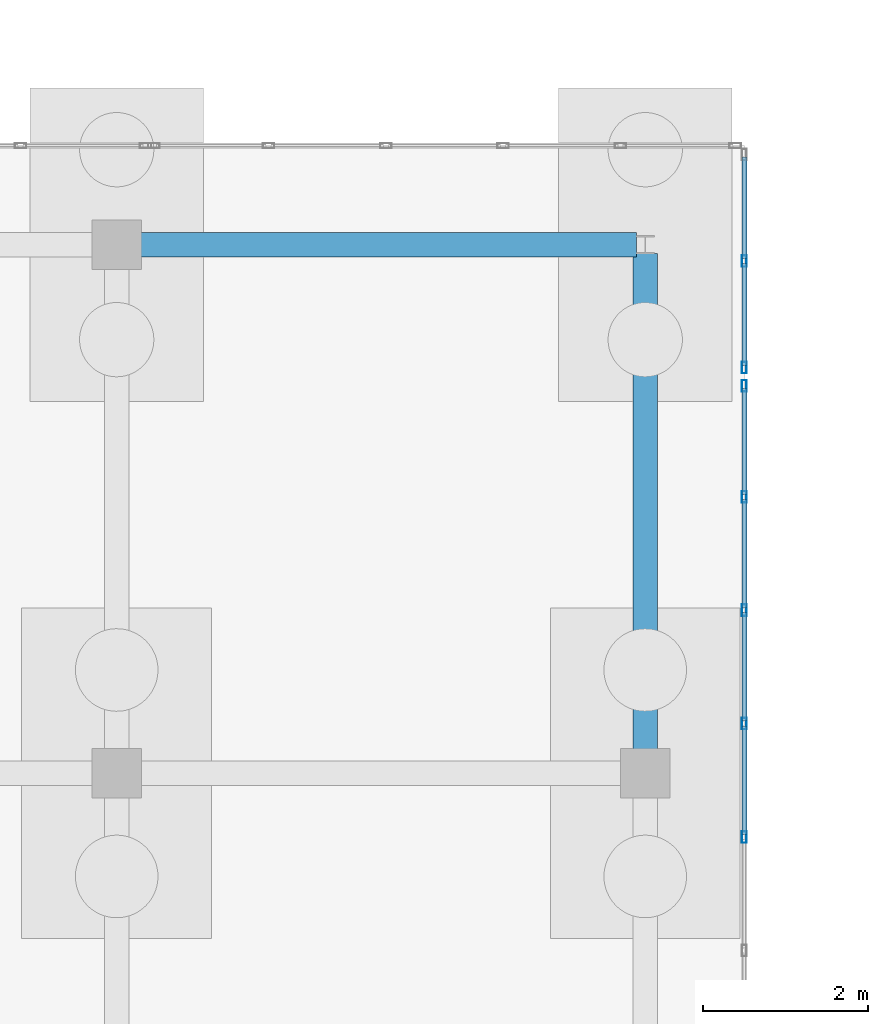
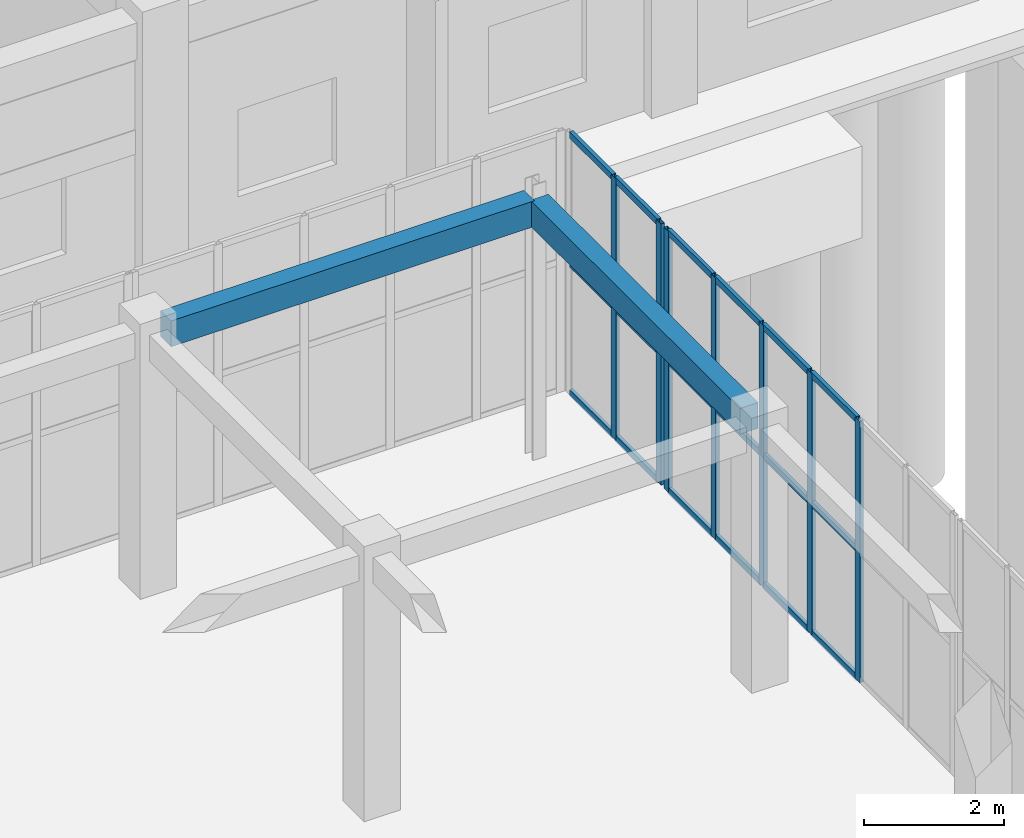
# One storey, part 118 of 192: 25 members, 2 beams, 2 elements without a shape of their own.
"""IFC4 building model written with IfcOpenShell, lengths in metres."""

from ifc_helpers import new_model, si_unit, direction, frame, origin, origin_2d, place, context, subcontext, project, spatial, rectangle, hollow_rectangle, extrude, material, layer, layer_set, material_profile, profile_set, type_object, element, aggregate, save


model = new_model("IFC4")

# Units and contexts
model_context = context("Model", 3, precision=1e-05, world=origin(), true_north=direction((0.0, 1.0)))
body_context = subcontext(model_context, "Body", "Model", "MODEL_VIEW")
ifc_project = project(units=[si_unit("LENGTHUNIT", "METRE"), si_unit("AREAUNIT", "SQUARE_METRE"), si_unit("VOLUMEUNIT", "CUBIC_METRE"), si_unit("PLANEANGLEUNIT", "RADIAN"), si_unit("MASSUNIT", "GRAM", prefix="KILO")], contexts=[model_context])

# Site, building, storey
site_placement = place(None, origin())
site = spatial("IfcSite", under=ifc_project, at=site_placement, CompositionType="ELEMENT")
building_placement = place(site_placement, origin())
building = spatial("IfcBuilding", under=site, at=building_placement, Name="Trelvath General Hospital", CompositionType="ELEMENT")
storey_placement = place(building_placement, origin())
storey = spatial("IfcBuildingStorey", under=building, at=storey_placement, Name="L00", CompositionType="ELEMENT", Elevation=0.0)

# Beams
ifc_material_1 = material(Name="Concrete C35/45", Category="concrete")
ifc_material_profile_1 = material_profile(ifc_material_1, rectangle(XDim=0.300048828125, YDim=0.449951171875, at=origin_2d()), Name="RCB300x450")
ifc_profile_set_1 = profile_set([ifc_material_profile_1], Name="Concrete C35/45")
beam_type = type_object("IfcBeamType", Name="Beam RC300x450", PredefinedType="BEAM", material=ifc_profile_set_1)
beam_1_placement = place(storey_placement, frame((113.89599609375, 85.60009765625, 4.3349609375), z_axis=(1.0, 0.0, 0.0), x_axis=(0.0, 1.0, 0.0)))
element("IfcBeam", 1, at=beam_1_placement, inside=storey, type_object=beam_type, Name="Cube Interior Ring Beam CUBE-E-T0 L00", PredefinedType="BEAM", context=body_context, shape_type="SweptSolid", body=[
    extrude(rectangle(XDim=0.300048828125, YDim=0.449951171875, at=origin_2d()), origin(), (0.0, 0.0, 1.0), 5.998046875),
])
beam_2_placement = place(storey_placement, frame((120.0, 79.49609375, 4.3349609375), z_axis=(0.0, 1.0, 0.0), x_axis=(-1.0, 0.0, 0.0)))
element("IfcBeam", 2, at=beam_2_placement, inside=storey, type_object=beam_type, Name="Cube Interior Ring Beam CUBE-E-T0 L00", PredefinedType="BEAM", context=body_context, shape_type="SweptSolid", body=[
    extrude(rectangle(XDim=0.300048828125, YDim=0.449951171875, at=origin_2d()), origin(), (0.0, 0.0, 1.0), 5.997802734375),
])

# Curtain wall, members
ifc_material_2 = material(Name="Anodised aluminium and low-E glass", Category="aluminium")
ifc_layer_1 = layer(ifc_material_2, 0.139892578125)
ifc_layer_set_1 = layer_set([ifc_layer_1], Name="Anodised aluminium and low-E glass")
curtain_wall_type_1 = type_object("IfcCurtainWallType", Name="CW CrystalCube 824 456 14", PredefinedType="USERDEFINED", material=ifc_layer_set_1)
curtain_wall_1_placement = place(storey_placement, origin())
curtain_wall_1 = element("IfcCurtainWall", 3, at=curtain_wall_1_placement, inside=storey, type_object=curtain_wall_type_1, Name="Crystal Cube Curtain Wall CUBE-E-T0 E6 L00", ObjectType="Unitised Glazed Curtain Wall", PredefinedType="USERDEFINED")
ifc_material_3 = material(Name="Anodised aluminium", Category="aluminium")
ifc_material_profile_2 = material_profile(ifc_material_3, hollow_rectangle(XDim=0.06005859375, YDim=0.139892578125, WallThickness=0.00390625, at=origin_2d()), Name="RHS60x140x4")
ifc_profile_set_2 = profile_set([ifc_material_profile_2], Name="Anodised aluminium")
member_type_1 = type_object("IfcMemberType", Name="CurtainMullion 60x140", PredefinedType="MULLION", material=ifc_profile_set_2)
member_1_placement = place(storey_placement, frame((121.199951171875, 83.889892578125, 0.0), z_axis=(0.0, 0.0, 1.0), x_axis=(1.0, 0.0, 0.0)))
member_1 = element("IfcMember", 4, at=member_1_placement, type_object=member_type_1, Name="CW-124 mullion 1", PredefinedType="MULLION", context=body_context, shape_type="SweptSolid", body=[
    extrude(hollow_rectangle(XDim=0.06005859375, YDim=0.139892578125, WallThickness=0.00390625, at=origin_2d()), origin(), (0.0, 0.0, 1.0), 4.56005859375),
])
member_2_placement = place(storey_placement, frame((121.199951171875, 82.546630859375, 0.0), z_axis=(0.0, 0.0, 1.0), x_axis=(1.0, 0.0, 0.0)))
member_2 = element("IfcMember", 5, at=member_2_placement, type_object=member_type_1, Name="CW-124 mullion 2", PredefinedType="MULLION", context=body_context, shape_type="SweptSolid", body=[
    extrude(hollow_rectangle(XDim=0.06005859375, YDim=0.139892578125, WallThickness=0.00390625, at=origin_2d()), origin(), (0.0, 0.0, 1.0), 4.56005859375),
])
member_3_placement = place(storey_placement, frame((121.199951171875, 81.17333984375, 0.0), z_axis=(0.0, 0.0, 1.0), x_axis=(1.0, 0.0, 0.0)))
member_3 = element("IfcMember", 6, at=member_3_placement, type_object=member_type_1, Name="CW-124 mullion 3", PredefinedType="MULLION", context=body_context, shape_type="SweptSolid", body=[
    extrude(hollow_rectangle(XDim=0.06005859375, YDim=0.139892578125, WallThickness=0.00390625, at=origin_2d()), origin(), (0.0, 0.0, 1.0), 4.56005859375),
])
member_4_placement = place(storey_placement, frame((121.199951171875, 79.800048828125, 0.0), z_axis=(0.0, 0.0, 1.0), x_axis=(1.0, 0.0, 0.0)))
member_4 = element("IfcMember", 7, at=member_4_placement, type_object=member_type_1, Name="CW-124 mullion 4", PredefinedType="MULLION", context=body_context, shape_type="SweptSolid", body=[
    extrude(hollow_rectangle(XDim=0.06005859375, YDim=0.139892578125, WallThickness=0.00390625, at=origin_2d()), origin(), (0.0, 0.0, 1.0), 4.56005859375),
])
member_5_placement = place(storey_placement, frame((121.199951171875, 78.4267578125, 0.0), z_axis=(0.0, 0.0, 1.0), x_axis=(1.0, 0.0, 0.0)))
member_5 = element("IfcMember", 8, at=member_5_placement, type_object=member_type_1, Name="CW-124 mullion 5", PredefinedType="MULLION", context=body_context, shape_type="SweptSolid", body=[
    extrude(hollow_rectangle(XDim=0.06005859375, YDim=0.139892578125, WallThickness=0.00390625, at=origin_2d()), origin(), (0.0, 0.0, 1.0), 4.56005859375),
])

ifc_material_4 = material(Name="Anodised aluminium and low-E glass", Category="aluminium")
ifc_layer_2 = layer(ifc_material_4, 0.139892578125)
ifc_layer_set_2 = layer_set([ifc_layer_2], Name="Anodised aluminium and low-E glass")
curtain_wall_type_2 = type_object("IfcCurtainWallType", Name="CW CrystalCube 264 456 14", PredefinedType="USERDEFINED", material=ifc_layer_set_2)
curtain_wall_2_placement = place(storey_placement, origin())
curtain_wall_2 = element("IfcCurtainWall", 9, at=curtain_wall_2_placement, inside=storey, type_object=curtain_wall_type_2, Name="Crystal Cube Curtain Wall CUBE-E-T0 E7 L00", ObjectType="Unitised Glazed Curtain Wall", PredefinedType="USERDEFINED")
member_6_placement = place(storey_placement, frame((121.199951171875, 85.39990234375, 0.0), z_axis=(0.0, 0.0, 1.0), x_axis=(1.0, 0.0, 0.0)))
member_6 = element("IfcMember", 10, at=member_6_placement, type_object=member_type_1, Name="CW-126 mullion 2", PredefinedType="MULLION", context=body_context, shape_type="SweptSolid", body=[
    extrude(hollow_rectangle(XDim=0.06005859375, YDim=0.139892578125, WallThickness=0.00390625, at=origin_2d()), origin(), (0.0, 0.0, 1.0), 4.56005859375),
])
member_7_placement = place(storey_placement, frame((121.199951171875, 84.110107421875, 0.0), z_axis=(0.0, 0.0, 1.0), x_axis=(1.0, 0.0, 0.0)))
member_7 = element("IfcMember", 11, at=member_7_placement, type_object=member_type_1, Name="CW-126 mullion 3", PredefinedType="MULLION", context=body_context, shape_type="SweptSolid", body=[
    extrude(hollow_rectangle(XDim=0.06005859375, YDim=0.139892578125, WallThickness=0.00390625, at=origin_2d()), origin(), (0.0, 0.0, 1.0), 4.56005859375),
])

# Member
ifc_material_5 = material(Name="Anodised aluminium", Category="aluminium")
ifc_material_profile_3 = material_profile(ifc_material_5, hollow_rectangle(XDim=0.06005859375, YDim=0.110107421875, WallThickness=0.00390625, at=origin_2d()), Name="RHS60x110x4")
ifc_profile_set_3 = profile_set([ifc_material_profile_3], Name="Anodised aluminium")
member_type_2 = type_object("IfcMemberType", Name="CurtainTransom 60x110", PredefinedType="USERDEFINED", material=ifc_profile_set_3)
member_8_placement = place(storey_placement, frame((121.199951171875, 83.860107421875, 0.030029296875), z_axis=(0.0, -1.0, 0.0), x_axis=(1.0, 0.0, 0.0)))
member_8 = element("IfcMember", 12, at=member_8_placement, type_object=member_type_2, Name="CW-124 transom 1.1", ObjectType="TRANSOM", PredefinedType="USERDEFINED", context=body_context, shape_type="SweptSolid", body=[
    extrude(hollow_rectangle(XDim=0.06005859375, YDim=0.110107421875, WallThickness=0.00390625, at=origin_2d()), origin(), (0.0, 0.0, 1.0), 1.283447265625),
])

member_9_placement = place(storey_placement, frame((121.199951171875, 83.860107421875, 2.280029296875), z_axis=(0.0, -1.0, 0.0), x_axis=(1.0, 0.0, 0.0)))
member_9 = element("IfcMember", 13, at=member_9_placement, type_object=member_type_2, Name="CW-124 transom 1.2", ObjectType="TRANSOM", PredefinedType="USERDEFINED", context=body_context, shape_type="SweptSolid", body=[
    extrude(hollow_rectangle(XDim=0.06005859375, YDim=0.110107421875, WallThickness=0.00390625, at=origin_2d()), origin(), (0.0, 0.0, 1.0), 1.283447265625),
])

member_10_placement = place(storey_placement, frame((121.199951171875, 83.860107421875, 4.530029296875), z_axis=(0.0, -1.0, 0.0), x_axis=(1.0, 0.0, 0.0)))
member_10 = element("IfcMember", 14, at=member_10_placement, type_object=member_type_2, Name="CW-124 transom 1.3", ObjectType="TRANSOM", PredefinedType="USERDEFINED", context=body_context, shape_type="SweptSolid", body=[
    extrude(hollow_rectangle(XDim=0.06005859375, YDim=0.110107421875, WallThickness=0.00390625, at=origin_2d()), origin(), (0.0, 0.0, 1.0), 1.283447265625),
])

member_11_placement = place(storey_placement, frame((121.199951171875, 82.5166015625, 0.030029296875), z_axis=(0.0, -1.0, 0.0), x_axis=(1.0, 0.0, 0.0)))
member_11 = element("IfcMember", 15, at=member_11_placement, type_object=member_type_2, Name="CW-124 transom 2.1", ObjectType="TRANSOM", PredefinedType="USERDEFINED", context=body_context, shape_type="SweptSolid", body=[
    extrude(hollow_rectangle(XDim=0.06005859375, YDim=0.110107421875, WallThickness=0.00390625, at=origin_2d()), origin(), (0.0, 0.0, 1.0), 1.313232421875),
])

member_12_placement = place(storey_placement, frame((121.199951171875, 82.5166015625, 2.280029296875), z_axis=(0.0, -1.0, 0.0), x_axis=(1.0, 0.0, 0.0)))
member_12 = element("IfcMember", 16, at=member_12_placement, type_object=member_type_2, Name="CW-124 transom 2.2", ObjectType="TRANSOM", PredefinedType="USERDEFINED", context=body_context, shape_type="SweptSolid", body=[
    extrude(hollow_rectangle(XDim=0.06005859375, YDim=0.110107421875, WallThickness=0.00390625, at=origin_2d()), origin(), (0.0, 0.0, 1.0), 1.313232421875),
])

member_13_placement = place(storey_placement, frame((121.199951171875, 82.5166015625, 4.530029296875), z_axis=(0.0, -1.0, 0.0), x_axis=(1.0, 0.0, 0.0)))
member_13 = element("IfcMember", 17, at=member_13_placement, type_object=member_type_2, Name="CW-124 transom 2.3", ObjectType="TRANSOM", PredefinedType="USERDEFINED", context=body_context, shape_type="SweptSolid", body=[
    extrude(hollow_rectangle(XDim=0.06005859375, YDim=0.110107421875, WallThickness=0.00390625, at=origin_2d()), origin(), (0.0, 0.0, 1.0), 1.313232421875),
])

member_14_placement = place(storey_placement, frame((121.199951171875, 81.143310546875, 0.030029296875), z_axis=(0.0, -1.0, 0.0), x_axis=(1.0, 0.0, 0.0)))
member_14 = element("IfcMember", 18, at=member_14_placement, type_object=member_type_2, Name="CW-124 transom 3.1", ObjectType="TRANSOM", PredefinedType="USERDEFINED", context=body_context, shape_type="SweptSolid", body=[
    extrude(hollow_rectangle(XDim=0.06005859375, YDim=0.110107421875, WallThickness=0.00390625, at=origin_2d()), origin(), (0.0, 0.0, 1.0), 1.313232421875),
])

member_15_placement = place(storey_placement, frame((121.199951171875, 81.143310546875, 2.280029296875), z_axis=(0.0, -1.0, 0.0), x_axis=(1.0, 0.0, 0.0)))
member_15 = element("IfcMember", 19, at=member_15_placement, type_object=member_type_2, Name="CW-124 transom 3.2", ObjectType="TRANSOM", PredefinedType="USERDEFINED", context=body_context, shape_type="SweptSolid", body=[
    extrude(hollow_rectangle(XDim=0.06005859375, YDim=0.110107421875, WallThickness=0.00390625, at=origin_2d()), origin(), (0.0, 0.0, 1.0), 1.313232421875),
])

member_16_placement = place(storey_placement, frame((121.199951171875, 81.143310546875, 4.530029296875), z_axis=(0.0, -1.0, 0.0), x_axis=(1.0, 0.0, 0.0)))
member_16 = element("IfcMember", 20, at=member_16_placement, type_object=member_type_2, Name="CW-124 transom 3.3", ObjectType="TRANSOM", PredefinedType="USERDEFINED", context=body_context, shape_type="SweptSolid", body=[
    extrude(hollow_rectangle(XDim=0.06005859375, YDim=0.110107421875, WallThickness=0.00390625, at=origin_2d()), origin(), (0.0, 0.0, 1.0), 1.313232421875),
])

member_17_placement = place(storey_placement, frame((121.199951171875, 79.77001953125, 0.030029296875), z_axis=(0.0, -1.0, 0.0), x_axis=(1.0, 0.0, 0.0)))
member_17 = element("IfcMember", 21, at=member_17_placement, type_object=member_type_2, Name="CW-124 transom 4.1", ObjectType="TRANSOM", PredefinedType="USERDEFINED", context=body_context, shape_type="SweptSolid", body=[
    extrude(hollow_rectangle(XDim=0.06005859375, YDim=0.110107421875, WallThickness=0.00390625, at=origin_2d()), origin(), (0.0, 0.0, 1.0), 1.313232421875),
])

member_18_placement = place(storey_placement, frame((121.199951171875, 79.77001953125, 2.280029296875), z_axis=(0.0, -1.0, 0.0), x_axis=(1.0, 0.0, 0.0)))
member_18 = element("IfcMember", 22, at=member_18_placement, type_object=member_type_2, Name="CW-124 transom 4.2", ObjectType="TRANSOM", PredefinedType="USERDEFINED", context=body_context, shape_type="SweptSolid", body=[
    extrude(hollow_rectangle(XDim=0.06005859375, YDim=0.110107421875, WallThickness=0.00390625, at=origin_2d()), origin(), (0.0, 0.0, 1.0), 1.313232421875),
])

member_19_placement = place(storey_placement, frame((121.199951171875, 79.77001953125, 4.530029296875), z_axis=(0.0, -1.0, 0.0), x_axis=(1.0, 0.0, 0.0)))
member_19 = element("IfcMember", 23, at=member_19_placement, type_object=member_type_2, Name="CW-124 transom 4.3", ObjectType="TRANSOM", PredefinedType="USERDEFINED", context=body_context, shape_type="SweptSolid", body=[
    extrude(hollow_rectangle(XDim=0.06005859375, YDim=0.110107421875, WallThickness=0.00390625, at=origin_2d()), origin(), (0.0, 0.0, 1.0), 1.313232421875),
])

aggregate(curtain_wall_1, [member_1, member_2, member_3, member_4, member_5, member_8, member_9, member_10, member_11, member_12, member_13, member_14, member_15, member_16, member_17, member_18, member_19])

member_20_placement = place(storey_placement, frame((121.199951171875, 86.659912109375, 0.030029296875), z_axis=(0.0, -1.0, 0.0), x_axis=(1.0, 0.0, 0.0)))
member_20 = element("IfcMember", 24, at=member_20_placement, type_object=member_type_2, Name="CW-126 transom 1.1", ObjectType="TRANSOM", PredefinedType="USERDEFINED", context=body_context, shape_type="SweptSolid", body=[
    extrude(hollow_rectangle(XDim=0.06005859375, YDim=0.110107421875, WallThickness=0.00390625, at=origin_2d()), origin(), (0.0, 0.0, 1.0), 1.22998046875),
])

member_21_placement = place(storey_placement, frame((121.199951171875, 86.659912109375, 2.280029296875), z_axis=(0.0, -1.0, 0.0), x_axis=(1.0, 0.0, 0.0)))
member_21 = element("IfcMember", 25, at=member_21_placement, type_object=member_type_2, Name="CW-126 transom 1.2", ObjectType="TRANSOM", PredefinedType="USERDEFINED", context=body_context, shape_type="SweptSolid", body=[
    extrude(hollow_rectangle(XDim=0.06005859375, YDim=0.110107421875, WallThickness=0.00390625, at=origin_2d()), origin(), (0.0, 0.0, 1.0), 1.22998046875),
])

member_22_placement = place(storey_placement, frame((121.199951171875, 86.659912109375, 4.530029296875), z_axis=(0.0, -1.0, 0.0), x_axis=(1.0, 0.0, 0.0)))
member_22 = element("IfcMember", 26, at=member_22_placement, type_object=member_type_2, Name="CW-126 transom 1.3", ObjectType="TRANSOM", PredefinedType="USERDEFINED", context=body_context, shape_type="SweptSolid", body=[
    extrude(hollow_rectangle(XDim=0.06005859375, YDim=0.110107421875, WallThickness=0.00390625, at=origin_2d()), origin(), (0.0, 0.0, 1.0), 1.22998046875),
])

member_23_placement = place(storey_placement, frame((121.199951171875, 85.3701171875, 0.030029296875), z_axis=(0.0, -1.0, 0.0), x_axis=(1.0, 0.0, 0.0)))
member_23 = element("IfcMember", 27, at=member_23_placement, type_object=member_type_2, Name="CW-126 transom 2.1", ObjectType="TRANSOM", PredefinedType="USERDEFINED", context=body_context, shape_type="SweptSolid", body=[
    extrude(hollow_rectangle(XDim=0.06005859375, YDim=0.110107421875, WallThickness=0.00390625, at=origin_2d()), origin(), (0.0, 0.0, 1.0), 1.230224609375),
])

member_24_placement = place(storey_placement, frame((121.199951171875, 85.3701171875, 2.280029296875), z_axis=(0.0, -1.0, 0.0), x_axis=(1.0, 0.0, 0.0)))
member_24 = element("IfcMember", 28, at=member_24_placement, type_object=member_type_2, Name="CW-126 transom 2.2", ObjectType="TRANSOM", PredefinedType="USERDEFINED", context=body_context, shape_type="SweptSolid", body=[
    extrude(hollow_rectangle(XDim=0.06005859375, YDim=0.110107421875, WallThickness=0.00390625, at=origin_2d()), origin(), (0.0, 0.0, 1.0), 1.230224609375),
])

member_25_placement = place(storey_placement, frame((121.199951171875, 85.3701171875, 4.530029296875), z_axis=(0.0, -1.0, 0.0), x_axis=(1.0, 0.0, 0.0)))
member_25 = element("IfcMember", 29, at=member_25_placement, type_object=member_type_2, Name="CW-126 transom 2.3", ObjectType="TRANSOM", PredefinedType="USERDEFINED", context=body_context, shape_type="SweptSolid", body=[
    extrude(hollow_rectangle(XDim=0.06005859375, YDim=0.110107421875, WallThickness=0.00390625, at=origin_2d()), origin(), (0.0, 0.0, 1.0), 1.230224609375),
])

aggregate(curtain_wall_2, [member_6, member_7, member_20, member_21, member_22, member_23, member_24, member_25])

save(model, "model.ifc")
